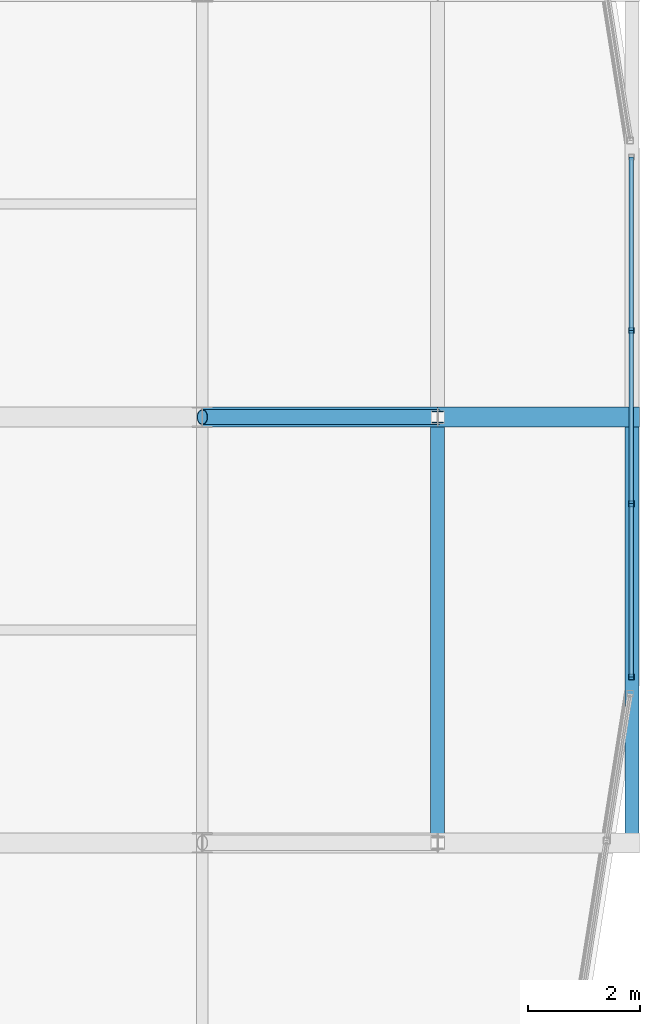
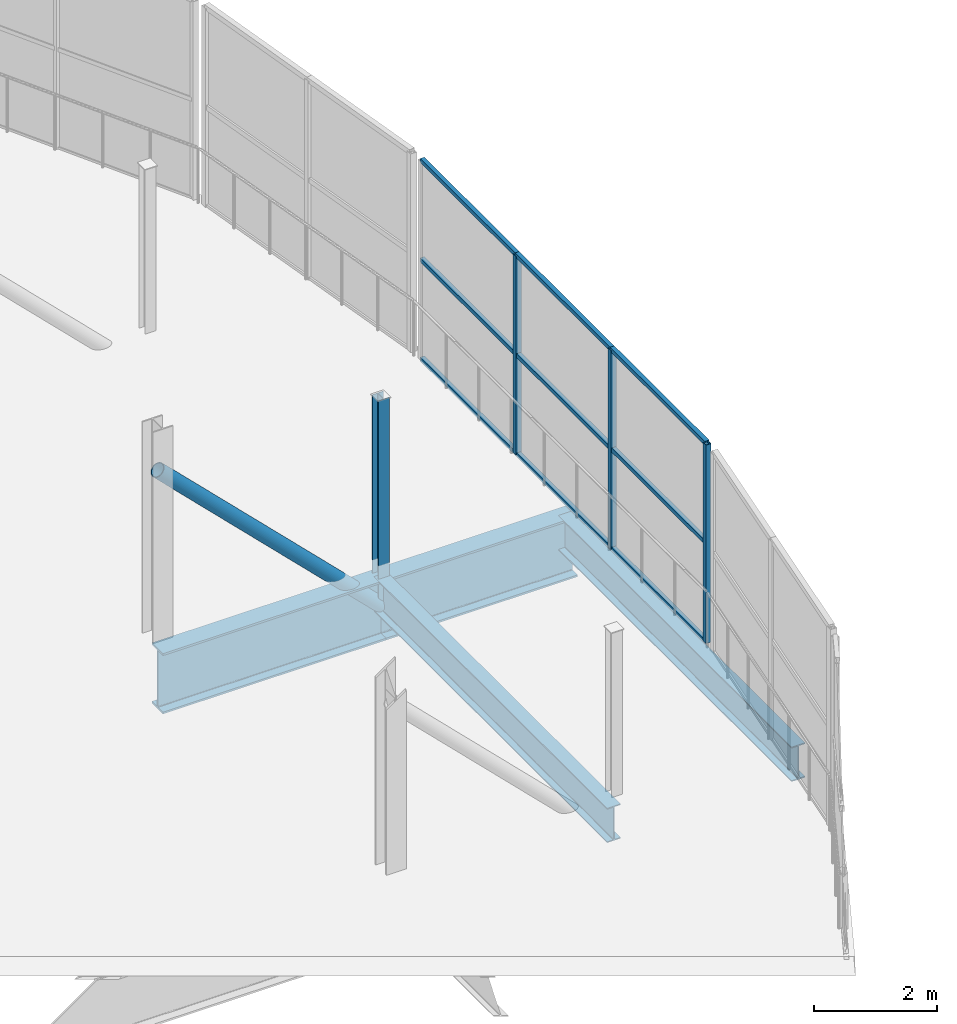
# One storey, part 150 of 217: 14 members, 4 beams, 1 element without a shape of its own.
"""IFC4 building model written with IfcOpenShell, lengths in metres."""

import ifcopenshell
import ifcopenshell.guid

model = None  # the IFC model being written
_history = None  # IfcOwnerHistory: only IFC2X3 demands one
_inside = {}  # id of a spatial element -> (the spatial element, [elements in it])
_under = {}  # id of a project, library or spatial element -> (it, [spatial elements below it])
_declared = {}  # id of a project -> (the project, [libraries it declares])
_typed = {}  # id of a type object -> (the type object, [elements of that type])
_made_of = {}  # id of a material, layer set ... -> (it, [elements and type objects made of it])


def new_model(schema):
    """Start an empty IFC model of exactly this schema.

    Asked for "IFC4X3", IfcOpenShell would pick the latest addendum, in which some entities
    have other attributes; the version numbers below select the first issue.
    IFC2X3 requires an IfcOwnerHistory on every rooted entity: one is made here for all.
    """
    global model, _history
    if schema == "IFC4X3":
        model = ifcopenshell.file(schema_version=(4, 3, 0, 0))
    else:
        model = ifcopenshell.file(schema=schema)
    _inside.clear()
    _under.clear()
    _declared.clear()
    _typed.clear()
    _made_of.clear()
    _history = None
    if model.schema == "IFC2X3":
        org = make("IfcOrganization", Name="unknown")
        user = make(
            "IfcPersonAndOrganization",
            ThePerson=make("IfcPerson", FamilyName="unknown"),
            TheOrganization=org,
        )
        app = make(
            "IfcApplication",
            ApplicationDeveloper=org,
            Version="unknown",
            ApplicationFullName="unknown",
            ApplicationIdentifier="unknown",
        )
        _history = make(
            "IfcOwnerHistory",
            OwningUser=user,
            OwningApplication=app,
            ChangeAction="ADDED",
            CreationDate=0,
        )
    return model


def make(cls, **values):
    """One entity of the class cls with the attributes given. An attribute that is None is left unset."""
    return model.create_entity(
        cls, **{name: value for name, value in values.items() if value is not None}
    )


def rooted(cls, **values):
    """An entity with a GlobalId (a new one), such as an element, a storey or a relation."""
    return make(cls, GlobalId=ifcopenshell.guid.new(), OwnerHistory=_history, **values)


def si_unit(unit_type, name, prefix=None):
    """IfcSIUnit, for example si_unit("LENGTHUNIT", "METRE", prefix="MILLI")."""
    return make("IfcSIUnit", UnitType=unit_type, Prefix=prefix, Name=name)


def assignment(units):
    """IfcUnitAssignment: the units of a project."""
    return None if units is None else make("IfcUnitAssignment", Units=units)


def point(xyz):
    """IfcCartesianPoint."""
    return None if xyz is None else make("IfcCartesianPoint", Coordinates=xyz)


def direction(xyz):
    """IfcDirection."""
    return None if xyz is None else make("IfcDirection", DirectionRatios=xyz)


def frame(location, z_axis=None, x_axis=None):
    """IfcAxis2Placement3D, a coordinate frame: its origin and axes. An axis left out is left unset."""
    return make(
        "IfcAxis2Placement3D",
        Location=point(location),
        Axis=direction(z_axis),
        RefDirection=direction(x_axis),
    )


def frame_2d(location, x_axis=None):
    """IfcAxis2Placement2D, a coordinate frame in the plane: its origin and x axis."""
    return make(
        "IfcAxis2Placement2D", Location=point(location), RefDirection=direction(x_axis)
    )


def origin():
    """The frame at (0, 0, 0) with its axes left unset."""
    return frame((0.0, 0.0, 0.0))


def origin_2d():
    """The frame at (0, 0) in the plane with its x axis left unset."""
    return frame_2d((0.0, 0.0))


def place(relative_to, where):
    """IfcLocalPlacement: puts the frame where relative to a parent placement (None: the world)."""
    return make(
        "IfcLocalPlacement", PlacementRelTo=relative_to, RelativePlacement=where
    )


def context(
    kind, dimensions, precision=None, world=None, true_north=None, identifier=None
):
    """IfcGeometricRepresentationContext, for example the 3D "Model" context."""
    return make(
        "IfcGeometricRepresentationContext",
        ContextIdentifier=identifier,
        ContextType=kind,
        CoordinateSpaceDimension=dimensions,
        Precision=precision,
        WorldCoordinateSystem=world,
        TrueNorth=true_north,
    )


def subcontext(parent, identifier, kind, view, scale=None):
    """IfcGeometricRepresentationSubContext, for example "Body" below "Model"."""
    return make(
        "IfcGeometricRepresentationSubContext",
        ContextIdentifier=identifier,
        ContextType=kind,
        ParentContext=parent,
        TargetScale=scale,
        TargetView=view,
    )


def project(units=None, contexts=None):
    """IfcProject with its units and contexts."""
    return rooted(
        "IfcProject",
        Name="project",
        RepresentationContexts=contexts,
        UnitsInContext=assignment(units),
    )


def spatial(cls, under=None, at=None, **own):
    """A site, building, storey or space (cls), placed at a placement, below another one or the project."""
    s = rooted(cls, ObjectPlacement=at, **own)
    if under is not None:
        _under.setdefault(under.id(), (under, []))[1].append(s)
    return s


def profile(cls, at=None, kind="AREA", **sizes):
    """A parametric profile (cls). Its sizes go by their IFC names, for example OverallWidth=200.0."""
    return make(cls, ProfileType=kind, Position=at, **sizes)


def hollow_rectangle(**sizes):
    """IfcRectangleHollowProfileDef."""
    return profile("IfcRectangleHollowProfileDef", **sizes)


def hollow_circle(**sizes):
    """IfcCircleHollowProfileDef."""
    return profile("IfcCircleHollowProfileDef", **sizes)


def i_section(**sizes):
    """IfcIShapeProfileDef."""
    return profile("IfcIShapeProfileDef", **sizes)


def extrude(swept, where, along, depth):
    """IfcExtrudedAreaSolid: the profile swept, set in the frame where, extruded along a direction by depth."""
    return make(
        "IfcExtrudedAreaSolid",
        SweptArea=swept,
        Position=where,
        ExtrudedDirection=direction(along),
        Depth=depth,
    )


def shape(context_of_items, identifier, shape_type, items):
    """IfcShapeRepresentation: the items that make up one representation, for example the "Body"."""
    return make(
        "IfcShapeRepresentation",
        ContextOfItems=context_of_items,
        RepresentationIdentifier=identifier,
        RepresentationType=shape_type,
        Items=items,
    )


def material(Name=None, Category=None):
    """IfcMaterial."""
    return make("IfcMaterial", Name=Name, Category=Category)


def material_profile(
    of_material, cross_section, Name=None, Category=None, Priority=None
):
    """IfcMaterialProfile: a cross section and its material."""
    return make(
        "IfcMaterialProfile",
        Name=Name,
        Material=of_material,
        Profile=cross_section,
        Priority=Priority,
        Category=Category,
    )


def profile_set(profiles, Name=None, composite=None):
    """IfcMaterialProfileSet."""
    return make(
        "IfcMaterialProfileSet",
        Name=Name,
        MaterialProfiles=profiles,
        CompositeProfile=composite,
    )


def made_of(thing, what):
    """Note that an element or type object is made of a material, layer set ...; save() writes the relation."""
    if what is not None:
        _made_of.setdefault(what.id(), (what, []))[1].append(thing)
    return thing


def type_object(cls, material=None, **own):
    """A type object (cls), such as IfcWallType, which elements share."""
    return made_of(rooted(cls, **own), material)


def element(
    cls,
    number,
    at=None,
    inside=None,
    cuts=None,
    type_object=None,
    material=None,
    context=None,
    identifier="Body",
    shape_type=None,
    held_by="IfcProductDefinitionShape",
    body=None,
    shapes=None,
    **own,
):
    """One element of the class cls, such as IfcWall. Its Tag is "e" and its number.

    at: its placement. inside: the storey or other place that contains it. cuts: it is an
    opening in that element (IfcRelVoidsElement). A single representation is given by context,
    identifier, shape_type and body (its items); several are given by shapes. held_by: the class
    of the entity that holds the representations. save() writes the other relations.
    """
    e = rooted(cls, Tag="e%d" % number, ObjectPlacement=at, **own)
    if body is not None:
        shapes = [shape(context, identifier, shape_type, body)]
    if shapes is not None:
        e.Representation = make(held_by, Representations=shapes)
    if inside is not None:
        _inside.setdefault(inside.id(), (inside, []))[1].append(e)
    if cuts is not None:
        rooted(
            "IfcRelVoidsElement", RelatingBuildingElement=cuts, RelatedOpeningElement=e
        )
    if type_object is not None:
        _typed.setdefault(type_object.id(), (type_object, []))[1].append(e)
    return made_of(e, material)


def aggregate(whole, parts):
    """IfcRelAggregates: a whole, such as a stair, and the parts it consists of."""
    return rooted("IfcRelAggregates", RelatingObject=whole, RelatedObjects=parts)


def save(model, path):
    """Write the relations noted so far, then the file.

    IfcRelAggregates (storeys below a building ...), IfcRelContainedInSpatialStructure (elements
    in a storey), IfcRelDefinesByType, IfcRelAssociatesMaterial and IfcRelDeclares: one each for
    every whole, place, type object, material and project.
    """
    for whole, parts in _under.values():
        aggregate(whole, parts)
    for where, things in _inside.values():
        rooted(
            "IfcRelContainedInSpatialStructure",
            RelatedElements=things,
            RelatingStructure=where,
        )
    for kind, things in _typed.values():
        rooted("IfcRelDefinesByType", RelatedObjects=things, RelatingType=kind)
    for what, things in _made_of.values():
        rooted("IfcRelAssociatesMaterial", RelatedObjects=things, RelatingMaterial=what)
    for by, libraries in _declared.values():
        rooted("IfcRelDeclares", RelatingContext=by, RelatedDefinitions=libraries)
    model.write(path)


model = new_model("IFC4")

# Units and contexts
model_context = context("Model", 3, precision=1e-05, world=origin(), true_north=direction((0.0, 1.0)))
body_context = subcontext(model_context, "Body", "Model", "MODEL_VIEW")
ifc_project = project(units=[si_unit("LENGTHUNIT", "METRE"), si_unit("AREAUNIT", "SQUARE_METRE"), si_unit("VOLUMEUNIT", "CUBIC_METRE"), si_unit("PLANEANGLEUNIT", "RADIAN"), si_unit("MASSUNIT", "GRAM", prefix="KILO")], contexts=[model_context])

# Site, building, storey
site_placement = place(None, origin())
site = spatial("IfcSite", under=ifc_project, at=site_placement, CompositionType="ELEMENT")
building_placement = place(site_placement, origin())
building = spatial("IfcBuilding", under=site, at=building_placement, Name="Zuvorla Pavilion Media Centre", CompositionType="ELEMENT")
storey_placement = place(building_placement, frame((0.0, 0.0, 9.60009765625)))
storey = spatial("IfcBuildingStorey", under=building, at=storey_placement, Name="L02", CompositionType="ELEMENT", Elevation=9.60009765625)

# Beams
ifc_material_1 = material(Name="Steel S355", Category="steel")
ifc_material_profile_1 = material_profile(ifc_material_1, i_section(OverallWidth=0.360107421875, OverallDepth=1.199951171875, WebThickness=0.02001953125, FlangeThickness=0.0380859375, FilletRadius=0.02392578125, at=origin_2d()), Name="PG 1200x360x38")
ifc_profile_set_1 = profile_set([ifc_material_profile_1], Name="Steel S355")
beam_type_1 = type_object("IfcBeamType", Name="BM-PG1200", PredefinedType="BEAM", material=ifc_profile_set_1)
beam_1_placement = place(storey_placement, frame((167.60009765625, 66.800048828125, -0.8681640625), z_axis=(1.0, 0.0, 0.0), x_axis=(0.0, 1.0, 0.0)))
element("IfcBeam", 1, at=beam_1_placement, inside=storey, type_object=beam_type_1, Name="L02 beam B01 1675", PredefinedType="BEAM", context=body_context, shape_type="SweptSolid", body=[
    extrude(i_section(OverallWidth=0.360107421875, OverallDepth=1.199951171875, WebThickness=0.02001953125, FlangeThickness=0.0380859375, FilletRadius=0.02392578125, at=origin_2d()), origin(), (0.0, 0.0, 1.0), 4.199951171875),
])
beam_2_placement = place(storey_placement, frame((171.800048828125, 66.800048828125, -0.8681640625), z_axis=(1.0, 0.0, 0.0), x_axis=(0.0, 1.0, 0.0)))
element("IfcBeam", 2, at=beam_2_placement, inside=storey, type_object=beam_type_1, Name="L02 beam B01 1676", PredefinedType="BEAM", context=body_context, shape_type="SweptSolid", body=[
    extrude(i_section(OverallWidth=0.360107421875, OverallDepth=1.199951171875, WebThickness=0.02001953125, FlangeThickness=0.0380859375, FilletRadius=0.02392578125, at=origin_2d()), origin(), (0.0, 0.0, 1.0), 3.599853515625),
])
ifc_material_profile_2 = material_profile(ifc_material_1, i_section(OverallWidth=0.25439453125, OverallDepth=0.6875, WebThickness=0.01318359375, FlangeThickness=0.02099609375, FilletRadius=0.01513671875, at=origin_2d()), Name="UB 686x254x152")
ifc_profile_set_2 = profile_set([ifc_material_profile_2], Name="Steel S355")
beam_type_2 = type_object("IfcBeamType", Name="BM-UB686", PredefinedType="BEAM", material=ifc_profile_set_2)
for number, where, z_axis, x_axis, name in (
    (3, (171.800048828125, 59.199951171875, -0.61181640625), (0.0, 1.0, 0.0), (-1.0, 0.0, 0.0), "L02 beam B06 1687"),
    (4, (175.27001953125, 59.199951171875, -0.61181640625), (0.0, 1.0, 0.0), (-1.0, 0.0, 0.0), "L02 beam B06 1689"),
):
    element("IfcBeam", number, at=place(storey_placement, frame(where, z_axis=z_axis, x_axis=x_axis)), inside=storey, type_object=beam_type_2, Name=name, PredefinedType="BEAM", context=body_context, shape_type="SweptSolid", body=[
        extrude(i_section(OverallWidth=0.25439453125, OverallDepth=0.6875, WebThickness=0.01318359375, FlangeThickness=0.02099609375, FilletRadius=0.01513671875, at=origin_2d()), origin(), (0.0, 0.0, 1.0), 7.60009765625),
    ])

# Curtain wall, members
ifc_material_2 = material(Name="Unitised anodised aluminium and solar glass curtain wall", Category="aluminium")
curtain_wall_type = type_object("IfcCurtainWallType", Name="CW-SYS-05", PredefinedType="USERDEFINED", material=ifc_material_2)
curtain_wall_placement = place(storey_placement, origin())
curtain_wall = element("IfcCurtainWall", 5, at=curtain_wall_placement, inside=storey, type_object=curtain_wall_type, Name="L02 curtain wall CW05 6", ObjectType="CURTAIN WALL", PredefinedType="USERDEFINED")
ifc_material_3 = material(Name="Anodised aluminium 6063-T6", Category="aluminium")
ifc_material_profile_3 = material_profile(ifc_material_3, hollow_rectangle(XDim=0.10009765625, YDim=0.10009765625, WallThickness=0.00439453125, at=origin_2d()), Name="ALU MULL 100x100")
ifc_profile_set_3 = profile_set([ifc_material_profile_3], Name="Anodised aluminium 6063-T6")
member_type_1 = type_object("IfcMemberType", Name="CW-MULL-100", PredefinedType="MULLION", material=ifc_profile_set_3)
member_1_placement = place(storey_placement, frame((175.260009765625, 62.159912109375, 0.0), z_axis=(0.0, 0.0, 1.0), x_axis=(1.0, 0.0, 0.0)))
member_1 = element("IfcMember", 6, at=member_1_placement, type_object=member_type_1, Name="CW05 mullion 1", PredefinedType="MULLION", context=body_context, shape_type="SweptSolid", body=[
    extrude(hollow_rectangle(XDim=0.10009765625, YDim=0.10009765625, WallThickness=0.00439453125, at=origin_2d()), origin(), (0.0, 0.0, 1.0), 3.949951171875),
])
member_2_placement = place(storey_placement, frame((175.260009765625, 65.25341796875, 0.0), z_axis=(0.0, 0.0, 1.0), x_axis=(1.0, 0.0, 0.0)))
member_2 = element("IfcMember", 7, at=member_2_placement, type_object=member_type_1, Name="CW05 mullion 2", PredefinedType="MULLION", context=body_context, shape_type="SweptSolid", body=[
    extrude(hollow_rectangle(XDim=0.10009765625, YDim=0.10009765625, WallThickness=0.00439453125, at=origin_2d()), origin(), (0.0, 0.0, 1.0), 3.949951171875),
])
member_3_placement = place(storey_placement, frame((175.260009765625, 68.3466796875, 0.0), z_axis=(0.0, 0.0, 1.0), x_axis=(1.0, 0.0, 0.0)))
member_3 = element("IfcMember", 8, at=member_3_placement, type_object=member_type_1, Name="CW05 mullion 3", PredefinedType="MULLION", context=body_context, shape_type="SweptSolid", body=[
    extrude(hollow_rectangle(XDim=0.10009765625, YDim=0.10009765625, WallThickness=0.00439453125, at=origin_2d()), origin(), (0.0, 0.0, 1.0), 3.949951171875),
])
ifc_material_profile_4 = material_profile(ifc_material_3, hollow_rectangle(XDim=0.080078125, YDim=0.080078125, WallThickness=0.00390625, at=origin_2d()), Name="ALU TRAN 80x80")
ifc_profile_set_4 = profile_set([ifc_material_profile_4], Name="Anodised aluminium 6063-T6")
member_type_2 = type_object("IfcMemberType", Name="CW-TRAN-80", PredefinedType="USERDEFINED", material=ifc_profile_set_4)
member_4_placement = place(storey_placement, frame((175.260009765625, 62.159912109375, 0.0), z_axis=(0.0, 1.0, 0.0), x_axis=(-1.0, 0.0, 0.0)))
member_4 = element("IfcMember", 9, at=member_4_placement, type_object=member_type_2, Name="CW05 transom 1.1", ObjectType="TRANSOM", PredefinedType="USERDEFINED", context=body_context, shape_type="SweptSolid", body=[
    extrude(hollow_rectangle(XDim=0.080078125, YDim=0.080078125, WallThickness=0.00390625, at=origin_2d()), origin(), (0.0, 0.0, 1.0), 3.093505859375),
])
member_5_placement = place(storey_placement, frame((175.260009765625, 62.159912109375, 1.974853515625), z_axis=(0.0, 1.0, 0.0), x_axis=(-1.0, 0.0, 0.0)))
member_5 = element("IfcMember", 10, at=member_5_placement, type_object=member_type_2, Name="CW05 transom 1.2", ObjectType="TRANSOM", PredefinedType="USERDEFINED", context=body_context, shape_type="SweptSolid", body=[
    extrude(hollow_rectangle(XDim=0.080078125, YDim=0.080078125, WallThickness=0.00390625, at=origin_2d()), origin(), (0.0, 0.0, 1.0), 3.093505859375),
])
member_6_placement = place(storey_placement, frame((175.260009765625, 62.159912109375, 3.949951171875), z_axis=(0.0, 1.0, 0.0), x_axis=(-1.0, 0.0, 0.0)))
member_6 = element("IfcMember", 11, at=member_6_placement, type_object=member_type_2, Name="CW05 transom 1.3", ObjectType="TRANSOM", PredefinedType="USERDEFINED", context=body_context, shape_type="SweptSolid", body=[
    extrude(hollow_rectangle(XDim=0.080078125, YDim=0.080078125, WallThickness=0.00390625, at=origin_2d()), origin(), (0.0, 0.0, 1.0), 3.093505859375),
])
member_7_placement = place(storey_placement, frame((175.260009765625, 65.25341796875, 0.0), z_axis=(0.0, 1.0, 0.0), x_axis=(-1.0, 0.0, 0.0)))
member_7 = element("IfcMember", 12, at=member_7_placement, type_object=member_type_2, Name="CW05 transom 2.1", ObjectType="TRANSOM", PredefinedType="USERDEFINED", context=body_context, shape_type="SweptSolid", body=[
    extrude(hollow_rectangle(XDim=0.080078125, YDim=0.080078125, WallThickness=0.00390625, at=origin_2d()), origin(), (0.0, 0.0, 1.0), 3.09326171875),
])
member_8_placement = place(storey_placement, frame((175.260009765625, 65.25341796875, 1.974853515625), z_axis=(0.0, 1.0, 0.0), x_axis=(-1.0, 0.0, 0.0)))
member_8 = element("IfcMember", 13, at=member_8_placement, type_object=member_type_2, Name="CW05 transom 2.2", ObjectType="TRANSOM", PredefinedType="USERDEFINED", context=body_context, shape_type="SweptSolid", body=[
    extrude(hollow_rectangle(XDim=0.080078125, YDim=0.080078125, WallThickness=0.00390625, at=origin_2d()), origin(), (0.0, 0.0, 1.0), 3.09326171875),
])
member_9_placement = place(storey_placement, frame((175.260009765625, 65.25341796875, 3.949951171875), z_axis=(0.0, 1.0, 0.0), x_axis=(-1.0, 0.0, 0.0)))
member_9 = element("IfcMember", 14, at=member_9_placement, type_object=member_type_2, Name="CW05 transom 2.3", ObjectType="TRANSOM", PredefinedType="USERDEFINED", context=body_context, shape_type="SweptSolid", body=[
    extrude(hollow_rectangle(XDim=0.080078125, YDim=0.080078125, WallThickness=0.00390625, at=origin_2d()), origin(), (0.0, 0.0, 1.0), 3.09326171875),
])
member_10_placement = place(storey_placement, frame((175.260009765625, 68.3466796875, 0.0), z_axis=(0.0, 1.0, 0.0), x_axis=(-1.0, 0.0, 0.0)))
member_10 = element("IfcMember", 15, at=member_10_placement, type_object=member_type_2, Name="CW05 transom 3.1", ObjectType="TRANSOM", PredefinedType="USERDEFINED", context=body_context, shape_type="SweptSolid", body=[
    extrude(hollow_rectangle(XDim=0.080078125, YDim=0.080078125, WallThickness=0.00390625, at=origin_2d()), origin(), (0.0, 0.0, 1.0), 3.09326171875),
])
member_11_placement = place(storey_placement, frame((175.260009765625, 68.3466796875, 1.974853515625), z_axis=(0.0, 1.0, 0.0), x_axis=(-1.0, 0.0, 0.0)))
member_11 = element("IfcMember", 16, at=member_11_placement, type_object=member_type_2, Name="CW05 transom 3.2", ObjectType="TRANSOM", PredefinedType="USERDEFINED", context=body_context, shape_type="SweptSolid", body=[
    extrude(hollow_rectangle(XDim=0.080078125, YDim=0.080078125, WallThickness=0.00390625, at=origin_2d()), origin(), (0.0, 0.0, 1.0), 3.09326171875),
])
member_12_placement = place(storey_placement, frame((175.260009765625, 68.3466796875, 3.949951171875), z_axis=(0.0, 1.0, 0.0), x_axis=(-1.0, 0.0, 0.0)))
member_12 = element("IfcMember", 17, at=member_12_placement, type_object=member_type_2, Name="CW05 transom 3.3", ObjectType="TRANSOM", PredefinedType="USERDEFINED", context=body_context, shape_type="SweptSolid", body=[
    extrude(hollow_rectangle(XDim=0.080078125, YDim=0.080078125, WallThickness=0.00390625, at=origin_2d()), origin(), (0.0, 0.0, 1.0), 3.09326171875),
])
aggregate(curtain_wall, [member_1, member_2, member_3, member_4, member_5, member_6, member_7, member_8, member_9, member_10, member_11, member_12])

# Members
ifc_material_profile_5 = material_profile(ifc_material_1, hollow_circle(Radius=0.136474609375, WallThickness=0.012451171875, at=origin_2d()), Name="CHS 273x12.5")
ifc_profile_set_5 = profile_set([ifc_material_profile_5], Name="Steel S355")
member_type_3 = type_object("IfcMemberType", Name="MEM-BRC-CHS273", PredefinedType="BRACE", material=ifc_profile_set_5)
member_13_placement = place(storey_placement, frame((167.60009765625, 66.800048828125, 3.27978515625), z_axis=(0.711332384643, 0.0, -0.702855773654), x_axis=(0.0, 1.0, 0.0)))
element("IfcMember", 18, at=member_13_placement, inside=storey, type_object=member_type_3, Name="L02 diagonal brace TB01 7", PredefinedType="BRACE", context=body_context, shape_type="SweptSolid", body=[
    extrude(hollow_circle(Radius=0.136474609375, WallThickness=0.012451171875, at=origin_2d()), origin(), (0.0, 0.0, 1.0), 5.904296875),
])
ifc_material_profile_6 = material_profile(ifc_material_1, i_section(OverallWidth=0.205810546875, OverallDepth=0.209716796875, WebThickness=0.009521484375, FlangeThickness=0.01416015625, FilletRadius=0.01025390625, at=origin_2d()), Name="UC 203x203x60")
ifc_profile_set_6 = profile_set([ifc_material_profile_6], Name="Steel S355")
member_type_4 = type_object("IfcMemberType", Name="MEM-STR-UC203", PredefinedType="STRUT", material=ifc_profile_set_6)
member_14_placement = place(storey_placement, frame((171.800048828125, 66.800048828125, -0.8701171875), z_axis=(0.0, 0.0, 1.0), x_axis=(1.0, 0.0, 0.0)))
element("IfcMember", 19, at=member_14_placement, inside=storey, type_object=member_type_4, Name="L02 vertical strut TS02 8", PredefinedType="STRUT", context=body_context, shape_type="SweptSolid", body=[
    extrude(i_section(OverallWidth=0.205810546875, OverallDepth=0.209716796875, WebThickness=0.009521484375, FlangeThickness=0.01416015625, FilletRadius=0.01025390625, at=origin_2d()), origin(), (0.0, 0.0, 1.0), 4.14990234375),
])

save(model, "model.ifc")
